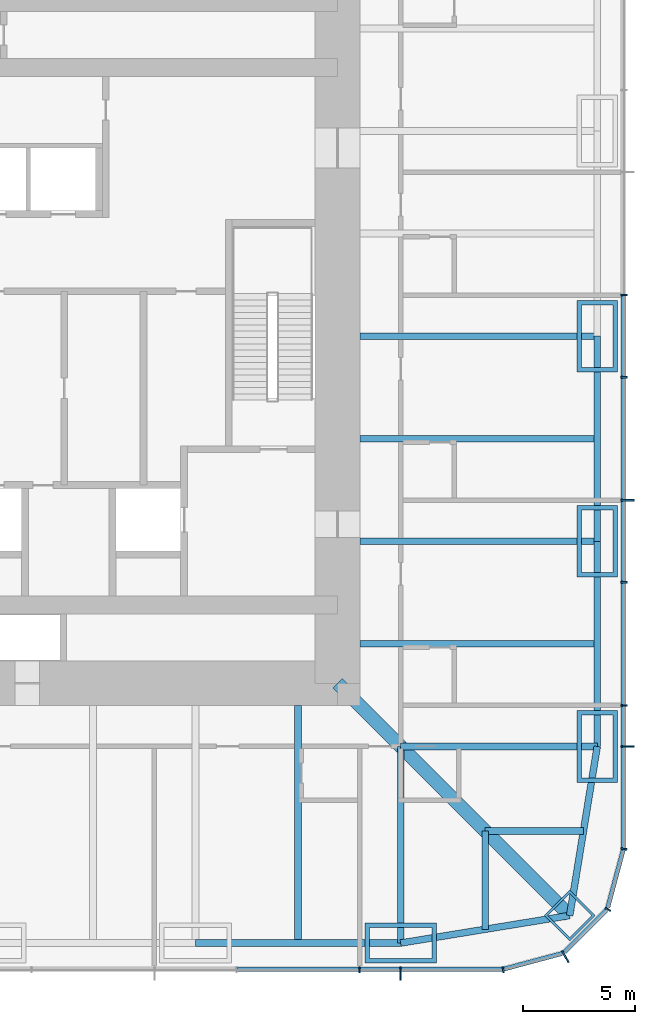
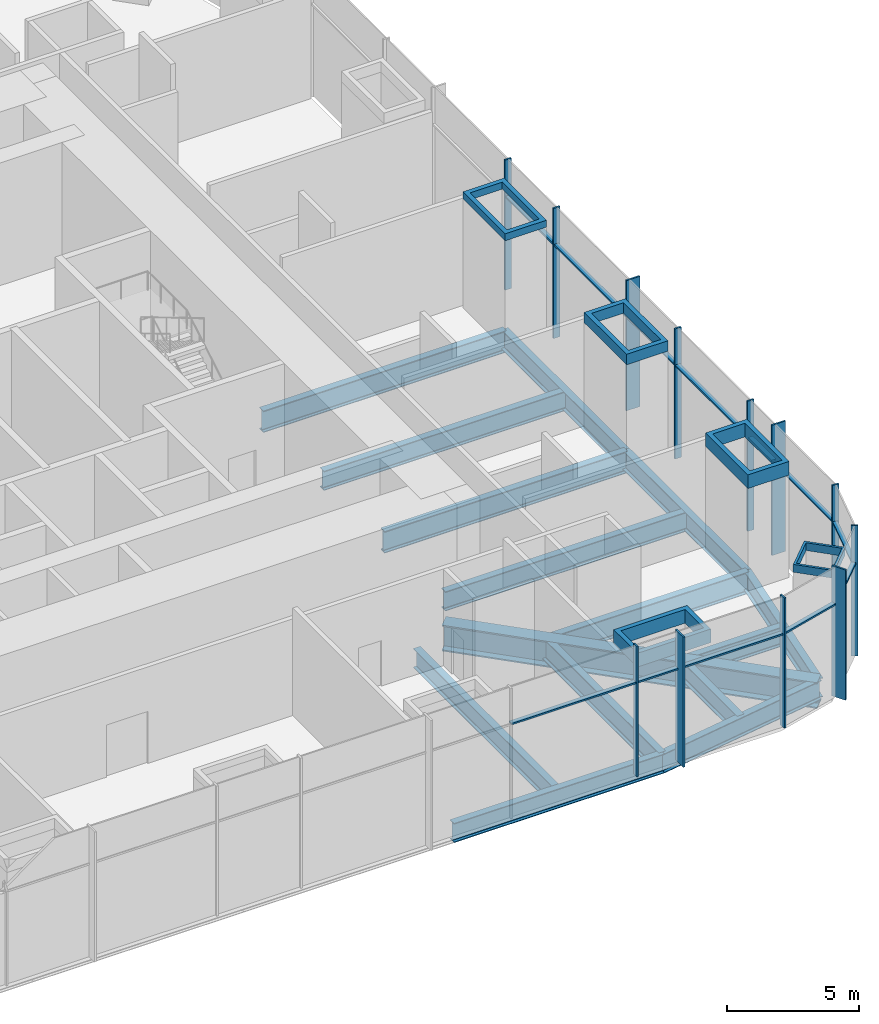
# One storey, part 3 of 12: 29 members, 15 beams, 3 elements without a shape of their own.
"""IFC4 building model written with IfcOpenShell, lengths in metres."""

from ifc_helpers import new_model, si_unit, direction, frame, origin, origin_2d, place, context, subcontext, project, spatial, rectangle, hollow_rectangle, i_section, extrude, material, material_profile, profile_set, type_object, element, aggregate, save


model = new_model("IFC4")

# Units and contexts
model_context = context("Model", 3, precision=1e-05, world=origin(), true_north=direction((0.0, 1.0)))
body_context = subcontext(model_context, "Body", "Model", "MODEL_VIEW")
ifc_project = project(units=[si_unit("LENGTHUNIT", "METRE"), si_unit("AREAUNIT", "SQUARE_METRE"), si_unit("VOLUMEUNIT", "CUBIC_METRE"), si_unit("PLANEANGLEUNIT", "RADIAN"), si_unit("MASSUNIT", "GRAM", prefix="KILO")], contexts=[model_context])

# Site, building, storey
site_placement = place(None, origin())
site = spatial("IfcSite", under=ifc_project, at=site_placement, CompositionType="ELEMENT")
building_placement = place(site_placement, origin())
building = spatial("IfcBuilding", under=site, at=building_placement, Name="Khuree Lantern Residences", CompositionType="ELEMENT")
storey_placement = place(building_placement, frame((0.0, 0.0, 186.0)))
storey = spatial("IfcBuildingStorey", under=building, at=storey_placement, Name="L47", CompositionType="ELEMENT", Elevation=186.0)

# Beams
ifc_material_1 = material(Name="Steel S355", Category="steel")
ifc_material_profile_1 = material_profile(ifc_material_1, i_section(OverallWidth=0.300048828125, OverallDepth=0.889892578125, WebThickness=0.01611328125, FlangeThickness=0.030029296875, FilletRadius=0.030029296875, at=origin_2d()), Name="HE 900 A")
ifc_profile_set_1 = profile_set([ifc_material_profile_1], Name="Steel S355")
beam_type_1 = type_object("IfcBeamType", Name="B-47 SECONDARY BEAM HE 900 A", PredefinedType="BEAM", material=ifc_profile_set_1)
for number, where, z_axis, x_axis, name in (
    (1, (27.10009765625, -4.580078125, -0.7451171875), (-1.0, 0.0, 0.0), (0.0, -1.0, 0.0), "Secondary beam E4"),
    (2, (27.10009765625, -13.739990234375, -0.7451171875), (-1.0, 0.0, 0.0), (0.0, -1.0, 0.0), "Secondary beam E5"),
):
    element("IfcBeam", number, at=place(storey_placement, frame(where, z_axis=z_axis, x_axis=x_axis)), inside=storey, type_object=beam_type_1, Name=name, PredefinedType="BEAM", context=body_context, shape_type="SweptSolid", body=[
        extrude(i_section(OverallWidth=0.300048828125, OverallDepth=0.889892578125, WebThickness=0.01611328125, FlangeThickness=0.030029296875, FilletRadius=0.030029296875, at=origin_2d()), origin(), (0.0, 0.0, 1.0), 10.60009765625),
    ])
for number, where, z_axis, x_axis, name in (
    (3, (26.48486328125, -22.094970703125, -0.7451171875), (-1.0, 0.0, 0.0), (0.0, -1.0, 0.0), "Secondary beam E6"),
    (4, (22.094970703125, -26.48486328125, -0.7451171875), (0.0, 1.0, 0.0), (-1.0, 0.0, 0.0), "Secondary beam S1"),
):
    element("IfcBeam", number, at=place(storey_placement, frame(where, z_axis=z_axis, x_axis=x_axis)), inside=storey, type_object=beam_type_1, Name=name, PredefinedType="BEAM", context=body_context, shape_type="SweptSolid", body=[
        extrude(i_section(OverallWidth=0.300048828125, OverallDepth=0.889892578125, WebThickness=0.01611328125, FlangeThickness=0.030029296875, FilletRadius=0.030029296875, at=origin_2d()), origin(), (0.0, 0.0, 1.0), 4.389892578125),
    ])
beam_1_placement = place(storey_placement, frame((13.739990234375, -27.10009765625, -0.7451171875), z_axis=(0.0, 1.0, 0.0), x_axis=(-1.0, 0.0, 0.0)))
element("IfcBeam", 5, at=beam_1_placement, inside=storey, type_object=beam_type_1, Name="Secondary beam S2", PredefinedType="BEAM", context=body_context, shape_type="SweptSolid", body=[
    extrude(i_section(OverallWidth=0.300048828125, OverallDepth=0.889892578125, WebThickness=0.01611328125, FlangeThickness=0.030029296875, FilletRadius=0.030029296875, at=origin_2d()), origin(), (0.0, 0.0, 1.0), 10.60009765625),
])
ifc_material_profile_2 = material_profile(ifc_material_1, i_section(OverallWidth=0.300048828125, OverallDepth=0.889892578125, WebThickness=0.01611328125, FlangeThickness=0.030029296875, FilletRadius=0.030029296875, at=origin_2d()), Name="HE 900 A")
ifc_profile_set_2 = profile_set([ifc_material_profile_2], Name="Steel S355")
beam_type_2 = type_object("IfcBeamType", Name="E-47 SPANDREL BEAM HE 900 A", PredefinedType="SPANDREL", material=ifc_profile_set_2)
beam_2_placement = place(storey_placement, frame((27.10009765625, 0.0, -0.7451171875), z_axis=(0.0, -1.0, 0.0), x_axis=(1.0, 0.0, 0.0)))
element("IfcBeam", 6, at=beam_2_placement, inside=storey, type_object=beam_type_2, Name="Spandrel beam E4", PredefinedType="SPANDREL", context=body_context, shape_type="SweptSolid", body=[
    extrude(i_section(OverallWidth=0.300048828125, OverallDepth=0.889892578125, WebThickness=0.01611328125, FlangeThickness=0.030029296875, FilletRadius=0.030029296875, at=origin_2d()), origin(), (0.0, 0.0, 1.0), 9.159912109375),
])
beam_3_placement = place(storey_placement, frame((27.10009765625, -9.159912109375, -0.7451171875), z_axis=(0.0, -1.0, 0.0), x_axis=(1.0, 0.0, 0.0)))
element("IfcBeam", 7, at=beam_3_placement, inside=storey, type_object=beam_type_2, Name="Spandrel beam E5", PredefinedType="SPANDREL", context=body_context, shape_type="SweptSolid", body=[
    extrude(i_section(OverallWidth=0.300048828125, OverallDepth=0.889892578125, WebThickness=0.01611328125, FlangeThickness=0.030029296875, FilletRadius=0.030029296875, at=origin_2d()), origin(), (0.0, 0.0, 1.0), 9.16015625),
])
for number, where, z_axis, x_axis, name in (
    (8, (27.10009765625, -18.320068359375, -0.7451171875), (-0.160826723833, -0.986982656839, 0.0), (0.986982656839, -0.160826723833, 0.0), "Spandrel beam E6"),
    (9, (25.869873046875, -25.869873046875, -0.7451171875), (-0.986982656839, -0.160826723833, 0.0), (0.160826723833, -0.986982656839, 0.0), "Spandrel beam S1"),
):
    element("IfcBeam", number, at=place(storey_placement, frame(where, z_axis=z_axis, x_axis=x_axis)), inside=storey, type_object=beam_type_2, Name=name, PredefinedType="SPANDREL", context=body_context, shape_type="SweptSolid", body=[
        extrude(i_section(OverallWidth=0.300048828125, OverallDepth=0.889892578125, WebThickness=0.01611328125, FlangeThickness=0.030029296875, FilletRadius=0.030029296875, at=origin_2d()), origin(), (0.0, 0.0, 1.0), 7.6494140625),
    ])
beam_4_placement = place(storey_placement, frame((18.320068359375, -27.10009765625, -0.7451171875), z_axis=(-1.0, 0.0, 0.0), x_axis=(0.0, -1.0, 0.0)))
element("IfcBeam", 10, at=beam_4_placement, inside=storey, type_object=beam_type_2, Name="Spandrel beam S2", PredefinedType="SPANDREL", context=body_context, shape_type="SweptSolid", body=[
    extrude(i_section(OverallWidth=0.300048828125, OverallDepth=0.889892578125, WebThickness=0.01611328125, FlangeThickness=0.030029296875, FilletRadius=0.030029296875, at=origin_2d()), origin(), (0.0, 0.0, 1.0), 9.16015625),
])

# Curtain wall, member
ifc_material_2 = material(Name="Bronze anodised aluminium", Category="aluminium")
curtain_wall_type = type_object("IfcCurtainWallType", Name="CW-S SKY STOREY FULL-HEIGHT CURTAIN WALL", PredefinedType="USERDEFINED", material=ifc_material_2)
curtain_wall_1_placement = place(storey_placement, origin())
curtain_wall_1 = element("IfcCurtainWall", 11, at=curtain_wall_1_placement, inside=storey, type_object=curtain_wall_type, Name="L47 SOUTH-EAST CORNER CURTAIN WALL", ObjectType="Full-height curtain wall", PredefinedType="USERDEFINED")
ifc_material_profile_3 = material_profile(ifc_material_2, rectangle(XDim=0.074951171875, YDim=0.60009765625, at=origin_2d()), Name="F3 75X600")
ifc_profile_set_3 = profile_set([ifc_material_profile_3], Name="Bronze anodised aluminium")
member_type_1 = type_object("IfcMemberType", Name="F3 BRONZE FIN MULLION SKY 75X600", PredefinedType="MULLION", material=ifc_profile_set_3)
member_1_placement = place(storey_placement, frame((25.675048828125, -27.70654296875, 0.0), z_axis=(0.0, 0.0, 1.0), x_axis=(0.866025388199, 0.500000026995, 0.0)))
member_1 = element("IfcMember", 12, at=member_1_placement, type_object=member_type_1, Name="L47 SOUTH-EAST CORNER FIN MULLION 2", PredefinedType="MULLION", context=body_context, shape_type="SweptSolid", body=[
    extrude(rectangle(XDim=0.074951171875, YDim=0.60009765625, at=origin_2d()), origin(), (0.0, 0.0, 1.0), 6.0),
])

# Curtain wall, members
curtain_wall_2_placement = place(storey_placement, origin())
curtain_wall_2 = element("IfcCurtainWall", 13, at=curtain_wall_2_placement, inside=storey, type_object=curtain_wall_type, Name="L47 EAST FACE CURTAIN WALL", ObjectType="Full-height curtain wall", PredefinedType="USERDEFINED")
member_2_placement = place(storey_placement, frame((28.449951171875, -18.320068359375, 0.0), z_axis=(0.0, 0.0, 1.0), x_axis=(0.0, 1.0, 0.0)))
member_2 = element("IfcMember", 14, at=member_2_placement, type_object=member_type_1, Name="L47 EAST FACE FIN MULLION 5", PredefinedType="MULLION", context=body_context, shape_type="SweptSolid", body=[
    extrude(rectangle(XDim=0.074951171875, YDim=0.60009765625, at=origin_2d()), origin(), (0.0, 0.0, 1.0), 6.0),
])
member_3_placement = place(storey_placement, frame((28.449951171875, -7.327880859375, 0.0), z_axis=(0.0, 0.0, 1.0), x_axis=(0.0, 1.0, 0.0)))
member_3 = element("IfcMember", 15, at=member_3_placement, type_object=member_type_1, Name="L47 EAST FACE FIN MULLION 8", PredefinedType="MULLION", context=body_context, shape_type="SweptSolid", body=[
    extrude(rectangle(XDim=0.074951171875, YDim=0.60009765625, at=origin_2d()), origin(), (0.0, 0.0, 1.0), 6.0),
])

# Curtain wall, member
curtain_wall_3_placement = place(storey_placement, origin())
curtain_wall_3 = element("IfcCurtainWall", 16, at=curtain_wall_3_placement, inside=storey, type_object=curtain_wall_type, Name="L47 SOUTH FACE CURTAIN WALL", ObjectType="Full-height curtain wall", PredefinedType="USERDEFINED")
member_4_placement = place(storey_placement, frame((18.320068359375, -28.449951171875, 0.0), z_axis=(0.0, 0.0, 1.0), x_axis=(1.0, 0.0, 0.0)))
member_4 = element("IfcMember", 17, at=member_4_placement, type_object=member_type_1, Name="L47 SOUTH FACE FIN MULLION 56", PredefinedType="MULLION", context=body_context, shape_type="SweptSolid", body=[
    extrude(rectangle(XDim=0.074951171875, YDim=0.60009765625, at=origin_2d()), origin(), (0.0, 0.0, 1.0), 6.0),
])

# Beams
ifc_material_profile_4 = material_profile(ifc_material_1, i_section(OverallWidth=0.300048828125, OverallDepth=1.0, WebThickness=0.01904296875, FlangeThickness=0.035888671875, FilletRadius=0.030029296875, at=origin_2d()), Name="HE 1000 B")
ifc_profile_set_4 = profile_set([ifc_material_profile_4], Name="Steel S355")
beam_type_3 = type_object("IfcBeamType", Name="G-47 GIRDER HE 1000 B", PredefinedType="BEAM", material=ifc_profile_set_4)
for number, where, z_axis, x_axis, name in (
    (18, (27.10009765625, 0.0, -0.800048828125), (-1.0, 0.0, 0.0), (0.0, -1.0, 0.0), "Girder E3"),
    (19, (27.10009765625, -9.159912109375, -0.800048828125), (-1.0, 0.0, 0.0), (0.0, -1.0, 0.0), "Girder E4"),
):
    element("IfcBeam", number, at=place(storey_placement, frame(where, z_axis=z_axis, x_axis=x_axis)), inside=storey, type_object=beam_type_3, Name=name, PredefinedType="BEAM", context=body_context, shape_type="SweptSolid", body=[
        extrude(i_section(OverallWidth=0.300048828125, OverallDepth=1.0, WebThickness=0.01904296875, FlangeThickness=0.035888671875, FilletRadius=0.030029296875, at=origin_2d()), origin(), (0.0, 0.0, 1.0), 10.60009765625),
    ])
for number, where, z_axis, x_axis, name in (
    (20, (27.10009765625, -18.320068359375, -0.800048828125), (-1.0, 0.0, 0.0), (0.0, -1.0, 0.0), "Girder E5"),
    (21, (18.320068359375, -27.10009765625, -0.800048828125), (0.0, 1.0, 0.0), (-1.0, 0.0, 0.0), "Girder S1"),
):
    element("IfcBeam", number, at=place(storey_placement, frame(where, z_axis=z_axis, x_axis=x_axis)), inside=storey, type_object=beam_type_3, Name=name, PredefinedType="BEAM", context=body_context, shape_type="SweptSolid", body=[
        extrude(i_section(OverallWidth=0.300048828125, OverallDepth=1.0, WebThickness=0.01904296875, FlangeThickness=0.035888671875, FilletRadius=0.030029296875, at=origin_2d()), origin(), (0.0, 0.0, 1.0), 8.780029296875),
    ])
ifc_material_profile_5 = material_profile(ifc_material_1, i_section(OverallWidth=0.60009765625, OverallDepth=1.199951171875, WebThickness=0.030029296875, FlangeThickness=0.06005859375, at=origin_2d()), Name="WELDED I 1200X600X30X60")
ifc_profile_set_5 = profile_set([ifc_material_profile_5], Name="Steel S355")
beam_type_4 = type_object("IfcBeamType", Name="GD-47 CORNER GIRDER WELDED I 1200X600X30X60", PredefinedType="BEAM", material=ifc_profile_set_5)
beam_5_placement = place(storey_placement, frame((25.869873046875, -25.869873046875, -0.89990234375), z_axis=(-0.707106781187, 0.707106781187, 0.0), x_axis=(-0.707106781187, -0.707106781187, 0.0)))
element("IfcBeam", 22, at=beam_5_placement, inside=storey, type_object=beam_type_4, Name="Corner girder SE", PredefinedType="BEAM", context=body_context, shape_type="SweptSolid", body=[
    extrude(i_section(OverallWidth=0.60009765625, OverallDepth=1.199951171875, WebThickness=0.030029296875, FlangeThickness=0.06005859375, at=origin_2d()), origin(), (0.0, 0.0, 1.0), 14.665283203125),
])

# Members
ifc_material_3 = material(Name="Steel S355 CFT welded box", Category="steel")
ifc_material_profile_6 = material_profile(ifc_material_3, hollow_rectangle(XDim=3.199951171875, YDim=1.800048828125, WallThickness=0.199951171875, at=origin_2d()), Name="WELDED BOX 3200X1800X200")
ifc_profile_set_6 = profile_set([ifc_material_profile_6], Name="Steel S355 CFT welded box")
member_type_2 = type_object("IfcMemberType", Name="MN MEGA COLUMN NODE WELDED BOX 3200X1800X200", PredefinedType="MEMBER", material=ifc_profile_set_6)
member_5_placement = place(storey_placement, frame((27.10009765625, 0.0, 5.030029296875), z_axis=(0.0, 0.0, 1.0), x_axis=(0.0, 1.0, 0.0)))
element("IfcMember", 23, at=member_5_placement, inside=storey, type_object=member_type_2, Name="Mega column node E3", PredefinedType="MEMBER", context=body_context, shape_type="SweptSolid", body=[
    extrude(hollow_rectangle(XDim=3.199951171875, YDim=1.800048828125, WallThickness=0.199951171875, at=origin_2d()), origin(), (0.0, 0.0, 1.0), 0.320068359375),
])
member_6_placement = place(storey_placement, frame((27.10009765625, -9.159912109375, 4.8701171875), z_axis=(0.0, 0.0, 1.0), x_axis=(0.0, 1.0, 0.0)))
element("IfcMember", 24, at=member_6_placement, inside=storey, type_object=member_type_2, Name="Mega column node E4", PredefinedType="MEMBER", context=body_context, shape_type="SweptSolid", body=[
    extrude(hollow_rectangle(XDim=3.199951171875, YDim=1.800048828125, WallThickness=0.199951171875, at=origin_2d()), origin(), (0.0, 0.0, 1.0), 0.47998046875),
])
for number, where, z_axis, x_axis, name in (
    (25, (27.10009765625, -18.320068359375, 4.719970703125), (0.0, 0.0, 1.0), (0.0, 1.0, 0.0), "Mega column node E5"),
    (26, (18.320068359375, -27.10009765625, 4.719970703125), (0.0, 0.0, 1.0), (1.0, 0.0, 0.0), "Mega column node S1"),
):
    element("IfcMember", number, at=place(storey_placement, frame(where, z_axis=z_axis, x_axis=x_axis)), inside=storey, type_object=member_type_2, Name=name, PredefinedType="MEMBER", context=body_context, shape_type="SweptSolid", body=[
        extrude(hollow_rectangle(XDim=3.199951171875, YDim=1.800048828125, WallThickness=0.199951171875, at=origin_2d()), origin(), (0.0, 0.0, 1.0), 0.630126953125),
    ])
ifc_material_profile_7 = material_profile(ifc_material_3, hollow_rectangle(XDim=1.60009765625, YDim=1.60009765625, WallThickness=0.10009765625, at=origin_2d()), Name="WELDED BOX 1600X1600X100")
ifc_profile_set_7 = profile_set([ifc_material_profile_7], Name="Steel S355 CFT welded box")
member_type_3 = type_object("IfcMemberType", Name="MNA MEGA COLUMN NODE WELDED BOX 1600X1600X100", PredefinedType="MEMBER", material=ifc_profile_set_7)
member_7_placement = place(storey_placement, frame((25.869873046875, -25.869873046875, 4.989990234375), z_axis=(0.0, 0.0, 1.0), x_axis=(0.707106781187, 0.707106781187, 0.0)))
element("IfcMember", 27, at=member_7_placement, inside=storey, type_object=member_type_3, Name="Mega column node SE", PredefinedType="MEMBER", context=body_context, shape_type="SweptSolid", body=[
    extrude(hollow_rectangle(XDim=1.60009765625, YDim=1.60009765625, WallThickness=0.10009765625, at=origin_2d()), origin(), (0.0, 0.0, 1.0), 0.360107421875),
])

# Member
ifc_material_profile_8 = material_profile(ifc_material_2, rectangle(XDim=0.074951171875, YDim=0.280029296875, at=origin_2d()), Name="M3 75X280")
ifc_profile_set_8 = profile_set([ifc_material_profile_8], Name="Bronze anodised aluminium")
member_type_4 = type_object("IfcMemberType", Name="MULLION M3 SKY 75X280", PredefinedType="MULLION", material=ifc_profile_set_8)
member_8_placement = place(storey_placement, frame((22.89892578125, -28.29150390625, 0.0), z_axis=(0.0, 0.0, 1.0), x_axis=(0.991444857305, 0.130526223125, 0.0)))
member_8 = element("IfcMember", 28, at=member_8_placement, type_object=member_type_4, Name="L47 SOUTH-EAST CORNER MULLION 1", PredefinedType="MULLION", context=body_context, shape_type="SweptSolid", body=[
    extrude(rectangle(XDim=0.074951171875, YDim=0.280029296875, at=origin_2d()), origin(), (0.0, 0.0, 1.0), 6.0),
])

member_9_placement = place(storey_placement, frame((27.56787109375, -25.594970703125, 0.0), z_axis=(0.0, 0.0, 1.0), x_axis=(0.500000026995, 0.866025388199, 0.0)))
member_9 = element("IfcMember", 29, at=member_9_placement, type_object=member_type_4, Name="L47 SOUTH-EAST CORNER MULLION 3", PredefinedType="MULLION", context=body_context, shape_type="SweptSolid", body=[
    extrude(rectangle(XDim=0.074951171875, YDim=0.280029296875, at=origin_2d()), origin(), (0.0, 0.0, 1.0), 6.0),
])

member_10_placement = place(storey_placement, frame((28.29150390625, -22.89892578125, 0.0), z_axis=(0.0, 0.0, 1.0), x_axis=(0.130526223125, 0.991444857305, 0.0)))
member_10 = element("IfcMember", 30, at=member_10_placement, type_object=member_type_4, Name="L47 EAST FACE MULLION 4", PredefinedType="MULLION", context=body_context, shape_type="SweptSolid", body=[
    extrude(rectangle(XDim=0.074951171875, YDim=0.280029296875, at=origin_2d()), origin(), (0.0, 0.0, 1.0), 6.0),
])

member_11_placement = place(storey_placement, frame((28.2900390625, -16.488037109375, 0.0), z_axis=(0.0, 0.0, 1.0), x_axis=(0.0, 1.0, 0.0)))
member_11 = element("IfcMember", 31, at=member_11_placement, type_object=member_type_4, Name="L47 EAST FACE MULLION 6", PredefinedType="MULLION", context=body_context, shape_type="SweptSolid", body=[
    extrude(rectangle(XDim=0.074951171875, YDim=0.280029296875, at=origin_2d()), origin(), (0.0, 0.0, 1.0), 6.0),
])

member_12_placement = place(storey_placement, frame((28.2900390625, -10.991943359375, 0.0), z_axis=(0.0, 0.0, 1.0), x_axis=(0.0, 1.0, 0.0)))
member_12 = element("IfcMember", 32, at=member_12_placement, type_object=member_type_4, Name="L47 EAST FACE MULLION 7", PredefinedType="MULLION", context=body_context, shape_type="SweptSolid", body=[
    extrude(rectangle(XDim=0.074951171875, YDim=0.280029296875, at=origin_2d()), origin(), (0.0, 0.0, 1.0), 6.0),
])

member_13_placement = place(storey_placement, frame((28.2900390625, -1.83203125, 0.0), z_axis=(0.0, 0.0, 1.0), x_axis=(0.0, 1.0, 0.0)))
member_13 = element("IfcMember", 33, at=member_13_placement, type_object=member_type_4, Name="L47 EAST FACE MULLION 9", PredefinedType="MULLION", context=body_context, shape_type="SweptSolid", body=[
    extrude(rectangle(XDim=0.074951171875, YDim=0.280029296875, at=origin_2d()), origin(), (0.0, 0.0, 1.0), 6.0),
])

member_14_placement = place(storey_placement, frame((28.2900390625, 1.83203125, 0.0), z_axis=(0.0, 0.0, 1.0), x_axis=(0.0, 1.0, 0.0)))
member_14 = element("IfcMember", 34, at=member_14_placement, type_object=member_type_4, Name="L47 EAST FACE MULLION 10", PredefinedType="MULLION", context=body_context, shape_type="SweptSolid", body=[
    extrude(rectangle(XDim=0.074951171875, YDim=0.280029296875, at=origin_2d()), origin(), (0.0, 0.0, 1.0), 6.0),
])

member_15_placement = place(storey_placement, frame((16.488037109375, -28.2900390625, 0.0), z_axis=(0.0, 0.0, 1.0), x_axis=(1.0, 0.0, 0.0)))
member_15 = element("IfcMember", 35, at=member_15_placement, type_object=member_type_4, Name="L47 SOUTH FACE MULLION 55", PredefinedType="MULLION", context=body_context, shape_type="SweptSolid", body=[
    extrude(rectangle(XDim=0.074951171875, YDim=0.280029296875, at=origin_2d()), origin(), (0.0, 0.0, 1.0), 6.0),
])

ifc_material_profile_9 = material_profile(ifc_material_2, rectangle(XDim=0.199951171875, YDim=0.074951171875, at=origin_2d()), Name="T3 200X75")
ifc_profile_set_9 = profile_set([ifc_material_profile_9], Name="Bronze anodised aluminium")
member_type_5 = type_object("IfcMemberType", Name="TRANSOM T3 SKY 200X75", PredefinedType="USERDEFINED", material=ifc_profile_set_9)
member_16_placement = place(storey_placement, frame((22.9453125, -28.2568359375, 4.300048828125), z_axis=(0.965922712839, 0.258830664379, 0.0), x_axis=(-0.258830664379, 0.965922712839, 0.0)))
member_16 = element("IfcMember", 36, at=member_16_placement, type_object=member_type_5, Name="L47 SOUTH-EAST CORNER TRANSOM 1.1", ObjectType="Transom", PredefinedType="USERDEFINED", context=body_context, shape_type="SweptSolid", body=[
    extrude(rectangle(XDim=0.199951171875, YDim=0.074951171875, at=origin_2d()), origin(), (0.0, 0.0, 1.0), 2.66650390625),
])

member_17_placement = place(storey_placement, frame((25.630859375, -27.503173828125, 4.300048828125), z_axis=(0.707106781187, 0.707106781187, 0.0), x_axis=(-0.707106781187, 0.707106781187, 0.0)))
member_17 = element("IfcMember", 37, at=member_17_placement, type_object=member_type_5, Name="L47 SOUTH-EAST CORNER TRANSOM 2.1", ObjectType="Transom", PredefinedType="USERDEFINED", context=body_context, shape_type="SweptSolid", body=[
    extrude(rectangle(XDim=0.199951171875, YDim=0.074951171875, at=origin_2d()), origin(), (0.0, 0.0, 1.0), 2.64794921875),
])

member_18_placement = place(storey_placement, frame((27.566650390625, -25.52099609375, 4.300048828125), z_axis=(0.258830664379, 0.965922712839, 0.0), x_axis=(-0.965922712839, 0.258830664379, 0.0)))
member_18 = element("IfcMember", 38, at=member_18_placement, type_object=member_type_5, Name="L47 SOUTH-EAST CORNER TRANSOM 3.1", ObjectType="Transom", PredefinedType="USERDEFINED", context=body_context, shape_type="SweptSolid", body=[
    extrude(rectangle(XDim=0.199951171875, YDim=0.074951171875, at=origin_2d()), origin(), (0.0, 0.0, 1.0), 2.66650390625),
])

aggregate(curtain_wall_1, [member_8, member_1, member_9, member_16, member_17, member_18])

member_19_placement = place(storey_placement, frame((28.27001953125, -22.844970703125, 4.300048828125), z_axis=(0.0, 1.0, 0.0), x_axis=(-1.0, 0.0, 0.0)))
member_19 = element("IfcMember", 39, at=member_19_placement, type_object=member_type_5, Name="L47 EAST FACE TRANSOM 4.1", ObjectType="Transom", PredefinedType="USERDEFINED", context=body_context, shape_type="SweptSolid", body=[
    extrude(rectangle(XDim=0.199951171875, YDim=0.074951171875, at=origin_2d()), origin(), (0.0, 0.0, 1.0), 4.487548828125),
])

member_20_placement = place(storey_placement, frame((28.27001953125, -18.282470703125, 4.300048828125), z_axis=(0.0, 1.0, 0.0), x_axis=(-1.0, 0.0, 0.0)))
member_20 = element("IfcMember", 40, at=member_20_placement, type_object=member_type_5, Name="L47 EAST FACE TRANSOM 5.1", ObjectType="Transom", PredefinedType="USERDEFINED", context=body_context, shape_type="SweptSolid", body=[
    extrude(rectangle(XDim=0.199951171875, YDim=0.074951171875, at=origin_2d()), origin(), (0.0, 0.0, 1.0), 1.757080078125),
])

member_21_placement = place(storey_placement, frame((28.27001953125, -16.450439453125, 4.300048828125), z_axis=(0.0, 1.0, 0.0), x_axis=(-1.0, 0.0, 0.0)))
member_21 = element("IfcMember", 41, at=member_21_placement, type_object=member_type_5, Name="L47 EAST FACE TRANSOM 6.1", ObjectType="Transom", PredefinedType="USERDEFINED", context=body_context, shape_type="SweptSolid", body=[
    extrude(rectangle(XDim=0.199951171875, YDim=0.074951171875, at=origin_2d()), origin(), (0.0, 0.0, 1.0), 5.4208984375),
])

member_22_placement = place(storey_placement, frame((28.27001953125, -10.95458984375, 4.300048828125), z_axis=(0.0, 1.0, 0.0), x_axis=(-1.0, 0.0, 0.0)))
member_22 = element("IfcMember", 42, at=member_22_placement, type_object=member_type_5, Name="L47 EAST FACE TRANSOM 7.1", ObjectType="Transom", PredefinedType="USERDEFINED", context=body_context, shape_type="SweptSolid", body=[
    extrude(rectangle(XDim=0.199951171875, YDim=0.074951171875, at=origin_2d()), origin(), (0.0, 0.0, 1.0), 3.589111328125),
])

member_23_placement = place(storey_placement, frame((28.27001953125, -7.29052734375, 4.300048828125), z_axis=(0.0, 1.0, 0.0), x_axis=(-1.0, 0.0, 0.0)))
member_23 = element("IfcMember", 43, at=member_23_placement, type_object=member_type_5, Name="L47 EAST FACE TRANSOM 8.1", ObjectType="Transom", PredefinedType="USERDEFINED", context=body_context, shape_type="SweptSolid", body=[
    extrude(rectangle(XDim=0.199951171875, YDim=0.074951171875, at=origin_2d()), origin(), (0.0, 0.0, 1.0), 5.421142578125),
])

member_24_placement = place(storey_placement, frame((28.27001953125, -1.79443359375, 4.300048828125), z_axis=(0.0, 1.0, 0.0), x_axis=(-1.0, 0.0, 0.0)))
member_24 = element("IfcMember", 44, at=member_24_placement, type_object=member_type_5, Name="L47 EAST FACE TRANSOM 9.1", ObjectType="Transom", PredefinedType="USERDEFINED", context=body_context, shape_type="SweptSolid", body=[
    extrude(rectangle(XDim=0.199951171875, YDim=0.074951171875, at=origin_2d()), origin(), (0.0, 0.0, 1.0), 3.5888671875),
])

aggregate(curtain_wall_2, [member_10, member_2, member_11, member_12, member_3, member_13, member_14, member_19, member_20, member_21, member_22, member_23, member_24])

member_25_placement = place(storey_placement, frame((11.029541015625, -28.27001953125, 4.300048828125), z_axis=(1.0, 0.0, 0.0), x_axis=(0.0, 1.0, 0.0)))
member_25 = element("IfcMember", 45, at=member_25_placement, type_object=member_type_5, Name="L47 SOUTH FACE TRANSOM 54.1", ObjectType="Transom", PredefinedType="USERDEFINED", context=body_context, shape_type="SweptSolid", body=[
    extrude(rectangle(XDim=0.199951171875, YDim=0.074951171875, at=origin_2d()), origin(), (0.0, 0.0, 1.0), 5.4208984375),
])

member_26_placement = place(storey_placement, frame((16.525390625, -28.27001953125, 4.300048828125), z_axis=(1.0, 0.0, 0.0), x_axis=(0.0, 1.0, 0.0)))
member_26 = element("IfcMember", 46, at=member_26_placement, type_object=member_type_5, Name="L47 SOUTH FACE TRANSOM 55.1", ObjectType="Transom", PredefinedType="USERDEFINED", context=body_context, shape_type="SweptSolid", body=[
    extrude(rectangle(XDim=0.199951171875, YDim=0.074951171875, at=origin_2d()), origin(), (0.0, 0.0, 1.0), 1.757080078125),
])

member_27_placement = place(storey_placement, frame((18.357421875, -28.27001953125, 4.300048828125), z_axis=(1.0, 0.0, 0.0), x_axis=(0.0, 1.0, 0.0)))
member_27 = element("IfcMember", 47, at=member_27_placement, type_object=member_type_5, Name="L47 SOUTH FACE TRANSOM 56.1", ObjectType="Transom", PredefinedType="USERDEFINED", context=body_context, shape_type="SweptSolid", body=[
    extrude(rectangle(XDim=0.199951171875, YDim=0.074951171875, at=origin_2d()), origin(), (0.0, 0.0, 1.0), 4.487548828125),
])

aggregate(curtain_wall_3, [member_15, member_4, member_25, member_26, member_27])

save(model, "model.ifc")
